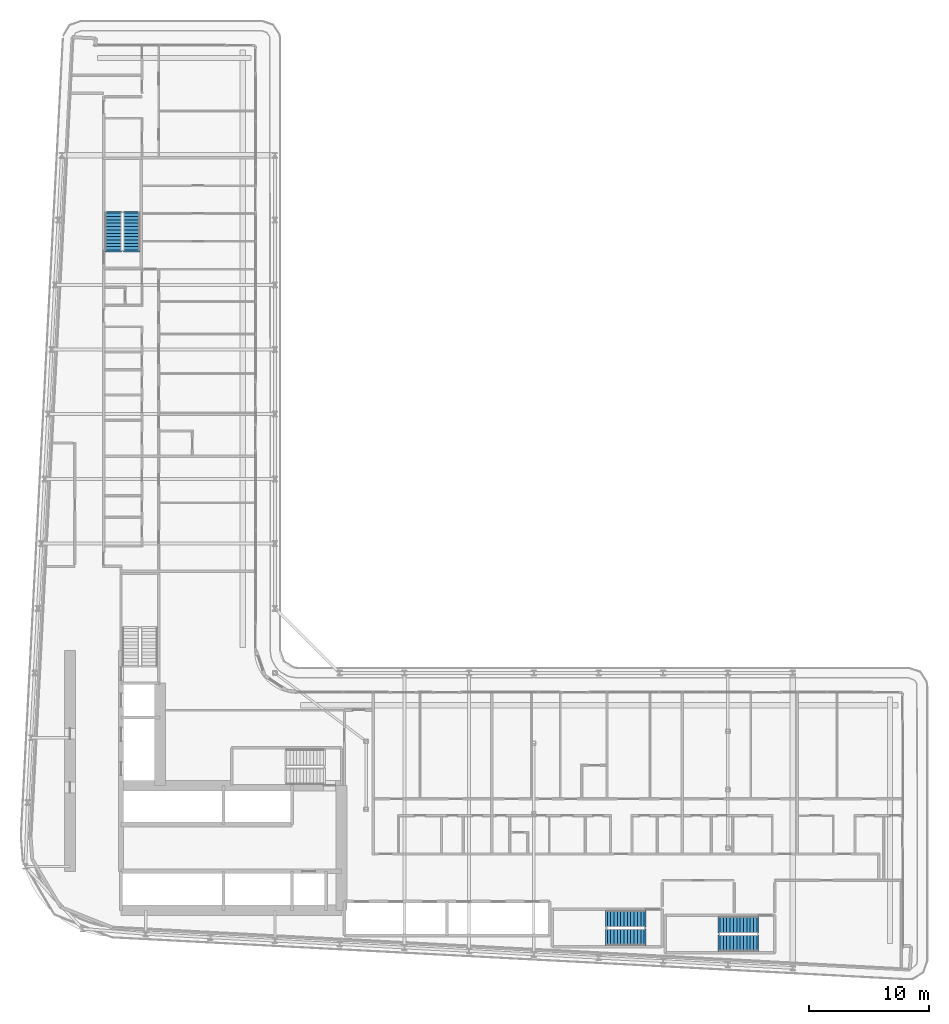
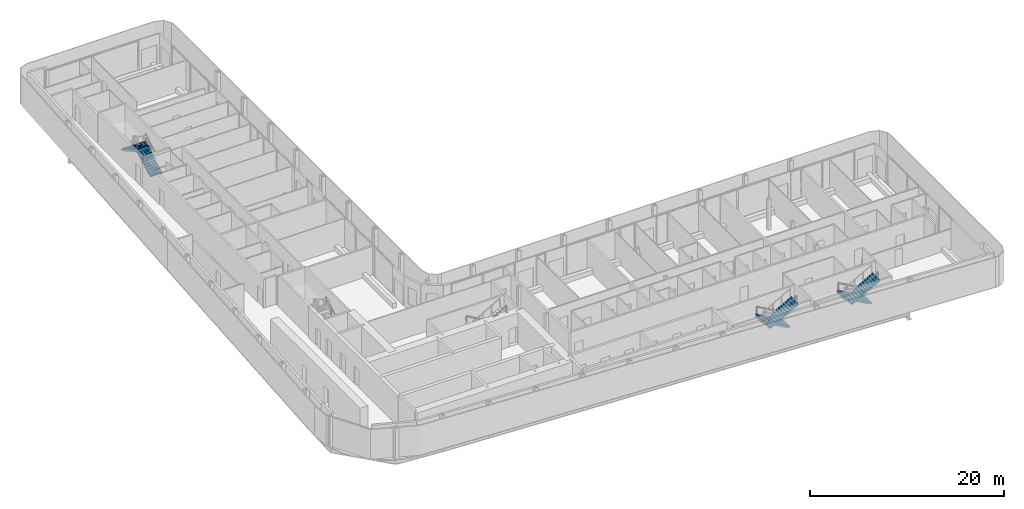
# One storey, part 21 of 28: 6 stair flights, 3 elements without a shape of their own.
"""IFC4 building model written with IfcOpenShell, lengths in metres."""

from ifc_helpers import new_model, si_unit, direction, frame, origin, place, context, subcontext, project, spatial, polyline, outline, extrude, material, layer, layer_set, type_object, element, aggregate, save


model = new_model("IFC4")

# Units and contexts
model_context = context("Model", 3, precision=1e-05, world=origin(), true_north=direction((0.0, 1.0)))
body_context = subcontext(model_context, "Body", "Model", "MODEL_VIEW")
ifc_project = project(units=[si_unit("LENGTHUNIT", "METRE"), si_unit("AREAUNIT", "SQUARE_METRE"), si_unit("VOLUMEUNIT", "CUBIC_METRE"), si_unit("PLANEANGLEUNIT", "RADIAN"), si_unit("MASSUNIT", "GRAM", prefix="KILO")], contexts=[model_context])

# Site, building, storey
site_placement = place(None, origin())
site = spatial("IfcSite", under=ifc_project, at=site_placement, CompositionType="ELEMENT")
building_placement = place(site_placement, origin())
building = spatial("IfcBuilding", under=site, at=building_placement, Name="Kheshtan School and Residences Tower", CompositionType="ELEMENT")
storey_placement = place(building_placement, frame((0.0, 0.0, 125.300048828125)))
storey = spatial("IfcBuildingStorey", under=building, at=storey_placement, Name="L29", CompositionType="ELEMENT", Elevation=125.300048828125)

# Stair, stair flights
ifc_material = material(Name="Concrete C40/50", Category="concrete")
stair_type = type_object("IfcStairType", Name="Exit stair, half-turn", PredefinedType="HALF_TURN_STAIR", material=ifc_material)
stair_1_placement = place(storey_placement, origin())
stair_1 = element("IfcStair", 1, at=stair_1_placement, inside=storey, type_object=stair_type, Name="L29 Protected Exit Stair ST3", PredefinedType="HALF_TURN_STAIR")
ifc_layer = layer(ifc_material, 0.14990234375)
ifc_layer_set = layer_set([ifc_layer], Name="Stair flight 1400 Concrete C40/50")
stair_flight_type = type_object("IfcStairFlightType", Name="Stair flight 1400 Concrete C40/50", PredefinedType="STRAIGHT", material=ifc_layer_set)
stair_flight_1_placement = place(storey_placement, frame((35.64990234375, 80.89990234375, 0.0), z_axis=(0.0, 0.0, 1.0), x_axis=(0.0, 1.0, 0.0)))
stair_flight_1 = element("IfcStairFlight", 2, at=stair_flight_1_placement, type_object=stair_flight_type, Name="ST3 flight 1", NumberOfRisers=12, NumberOfTreads=11, PredefinedType="STRAIGHT", RiserHeight=0.1625, TreadLength=0.28, context=body_context, shape_type="SweptSolid", body=[
    extrude(outline(polyline([(-0.14990234375, -0.10009765625), (-0.14990234375, 0.0), (0.0, 0.0), (0.0, 0.16259765625), (0.280029296875, 0.16259765625), (0.280029296875, 0.324951171875), (0.56005859375, 0.324951171875), (0.56005859375, 0.487548828125), (0.840087890625, 0.487548828125), (0.840087890625, 0.64990234375), (1.1201171875, 0.64990234375), (1.1201171875, 0.8125), (1.39990234375, 0.8125), (1.39990234375, 0.97509765625), (1.679931640625, 0.97509765625), (1.679931640625, 1.137451171875), (1.9599609375, 1.137451171875), (1.9599609375, 1.300048828125), (2.239990234375, 1.300048828125), (2.239990234375, 1.46240234375), (2.52001953125, 1.46240234375), (2.52001953125, 1.625), (2.800048828125, 1.625), (2.800048828125, 1.78759765625), (3.080078125, 1.78759765625), (3.080078125, 1.949951171875), (3.080078125, 1.969970703125), (3.22998046875, 1.969970703125), (3.22998046875, 1.6142578125), (0.298583984375, 0.0), (-0.14990234375, -0.10009765625)])), frame((0.0, 0.699951171875, 0.0), z_axis=(0.0, -1.0, 0.0), x_axis=(1.0, 0.0, 0.0)), (0.0, 0.0, 1.0), 1.39990234375),
])
stair_flight_2_placement = place(storey_placement, frame((34.10009765625, 83.97998046875, 1.949951171875), z_axis=(0.0, 0.0, 1.0), x_axis=(0.0, -1.0, 0.0)))
stair_flight_2 = element("IfcStairFlight", 3, at=stair_flight_2_placement, type_object=stair_flight_type, Name="ST3 flight 2", NumberOfRisers=12, NumberOfTreads=11, PredefinedType="STRAIGHT", RiserHeight=0.1625, TreadLength=0.28, context=body_context, shape_type="SweptSolid", body=[
    extrude(outline(polyline([(-0.14990234375, -0.10009765625), (-0.14990234375, 0.0), (0.0, 0.0), (0.0, 0.16259765625), (0.280029296875, 0.16259765625), (0.280029296875, 0.324951171875), (0.56005859375, 0.324951171875), (0.56005859375, 0.487548828125), (0.840087890625, 0.487548828125), (0.840087890625, 0.64990234375), (1.1201171875, 0.64990234375), (1.1201171875, 0.8125), (1.39990234375, 0.8125), (1.39990234375, 0.97509765625), (1.679931640625, 0.97509765625), (1.679931640625, 1.137451171875), (1.9599609375, 1.137451171875), (1.9599609375, 1.300048828125), (2.239990234375, 1.300048828125), (2.239990234375, 1.46240234375), (2.52001953125, 1.46240234375), (2.52001953125, 1.625), (2.800048828125, 1.625), (2.800048828125, 1.78759765625), (3.080078125, 1.78759765625), (3.080078125, 1.949951171875), (3.080078125, 1.969970703125), (3.22998046875, 1.969970703125), (3.22998046875, 1.6142578125), (0.298583984375, 0.0), (-0.14990234375, -0.10009765625)])), frame((0.0, 0.699951171875, 0.0), z_axis=(0.0, -1.0, 0.0), x_axis=(1.0, 0.0, 0.0)), (0.0, 0.0, 1.0), 1.39990234375),
])
aggregate(stair_1, [stair_flight_1, stair_flight_2])

stair_2_placement = place(storey_placement, origin())
stair_2 = element("IfcStair", 4, at=stair_2_placement, inside=storey, type_object=stair_type, Name="L29 Protected Exit Stair ST4", PredefinedType="HALF_TURN_STAIR")
stair_flight_3_placement = place(storey_placement, frame((87.820068359375, 24.60009765625, 0.0), z_axis=(0.0, 0.0, 1.0), x_axis=(-1.0, 0.0, 0.0)))
stair_flight_3 = element("IfcStairFlight", 5, at=stair_flight_3_placement, type_object=stair_flight_type, Name="ST4 flight 1", NumberOfRisers=12, NumberOfTreads=11, PredefinedType="STRAIGHT", RiserHeight=0.1625, TreadLength=0.28, context=body_context, shape_type="SweptSolid", body=[
    extrude(outline(polyline([(-0.14990234375, -0.10009765625), (-0.14990234375, 0.0), (0.0, 0.0), (0.0, 0.16259765625), (0.280029296875, 0.16259765625), (0.280029296875, 0.324951171875), (0.56005859375, 0.324951171875), (0.56005859375, 0.487548828125), (0.840087890625, 0.487548828125), (0.840087890625, 0.64990234375), (1.1201171875, 0.64990234375), (1.1201171875, 0.8125), (1.39990234375, 0.8125), (1.39990234375, 0.97509765625), (1.679931640625, 0.97509765625), (1.679931640625, 1.137451171875), (1.9599609375, 1.137451171875), (1.9599609375, 1.300048828125), (2.239990234375, 1.300048828125), (2.239990234375, 1.46240234375), (2.52001953125, 1.46240234375), (2.52001953125, 1.625), (2.800048828125, 1.625), (2.800048828125, 1.78759765625), (3.080078125, 1.78759765625), (3.080078125, 1.949951171875), (3.080078125, 1.969970703125), (3.22998046875, 1.969970703125), (3.22998046875, 1.6142578125), (0.298583984375, 0.0), (-0.14990234375, -0.10009765625)])), frame((0.0, 0.699951171875, 0.0), z_axis=(0.0, -1.0, 0.0), x_axis=(1.0, 0.0, 0.0)), (0.0, 0.0, 1.0), 1.39990234375),
])
stair_flight_4_placement = place(storey_placement, frame((84.739990234375, 23.050048828125, 1.949951171875), z_axis=(0.0, 0.0, 1.0), x_axis=(1.0, 0.0, 0.0)))
stair_flight_4 = element("IfcStairFlight", 6, at=stair_flight_4_placement, type_object=stair_flight_type, Name="ST4 flight 2", NumberOfRisers=12, NumberOfTreads=11, PredefinedType="STRAIGHT", RiserHeight=0.1625, TreadLength=0.28, context=body_context, shape_type="SweptSolid", body=[
    extrude(outline(polyline([(-0.14990234375, -0.10009765625), (-0.14990234375, 0.0), (0.0, 0.0), (0.0, 0.16259765625), (0.280029296875, 0.16259765625), (0.280029296875, 0.324951171875), (0.56005859375, 0.324951171875), (0.56005859375, 0.487548828125), (0.840087890625, 0.487548828125), (0.840087890625, 0.64990234375), (1.1201171875, 0.64990234375), (1.1201171875, 0.8125), (1.39990234375, 0.8125), (1.39990234375, 0.97509765625), (1.679931640625, 0.97509765625), (1.679931640625, 1.137451171875), (1.9599609375, 1.137451171875), (1.9599609375, 1.300048828125), (2.239990234375, 1.300048828125), (2.239990234375, 1.46240234375), (2.52001953125, 1.46240234375), (2.52001953125, 1.625), (2.800048828125, 1.625), (2.800048828125, 1.78759765625), (3.080078125, 1.78759765625), (3.080078125, 1.949951171875), (3.080078125, 1.969970703125), (3.22998046875, 1.969970703125), (3.22998046875, 1.6142578125), (0.298583984375, 0.0), (-0.14990234375, -0.10009765625)])), frame((0.0, 0.699951171875, 0.0), z_axis=(0.0, -1.0, 0.0), x_axis=(1.0, 0.0, 0.0)), (0.0, 0.0, 1.0), 1.39990234375),
])
aggregate(stair_2, [stair_flight_3, stair_flight_4])

stair_3_placement = place(storey_placement, origin())
stair_3 = element("IfcStair", 7, at=stair_3_placement, inside=storey, type_object=stair_type, Name="L29 Protected Exit Stair ST5", PredefinedType="HALF_TURN_STAIR")
stair_flight_5_placement = place(storey_placement, frame((78.409912109375, 25.10009765625, 0.0), z_axis=(0.0, 0.0, 1.0), x_axis=(-1.0, 0.0, 0.0)))
stair_flight_5 = element("IfcStairFlight", 8, at=stair_flight_5_placement, type_object=stair_flight_type, Name="ST5 flight 1", NumberOfRisers=12, NumberOfTreads=11, PredefinedType="STRAIGHT", RiserHeight=0.1625, TreadLength=0.28, context=body_context, shape_type="SweptSolid", body=[
    extrude(outline(polyline([(-0.14990234375, -0.10009765625), (-0.14990234375, 0.0), (0.0, 0.0), (0.0, 0.16259765625), (0.280029296875, 0.16259765625), (0.280029296875, 0.324951171875), (0.56005859375, 0.324951171875), (0.56005859375, 0.487548828125), (0.840087890625, 0.487548828125), (0.840087890625, 0.64990234375), (1.1201171875, 0.64990234375), (1.1201171875, 0.8125), (1.39990234375, 0.8125), (1.39990234375, 0.97509765625), (1.679931640625, 0.97509765625), (1.679931640625, 1.137451171875), (1.9599609375, 1.137451171875), (1.9599609375, 1.300048828125), (2.239990234375, 1.300048828125), (2.239990234375, 1.46240234375), (2.52001953125, 1.46240234375), (2.52001953125, 1.625), (2.800048828125, 1.625), (2.800048828125, 1.78759765625), (3.080078125, 1.78759765625), (3.080078125, 1.949951171875), (3.080078125, 1.969970703125), (3.22998046875, 1.969970703125), (3.22998046875, 1.6142578125), (0.298583984375, 0.0), (-0.14990234375, -0.10009765625)])), frame((0.0, 0.699951171875, 0.0), z_axis=(0.0, -1.0, 0.0), x_axis=(1.0, 0.0, 0.0)), (0.0, 0.0, 1.0), 1.39990234375),
])
stair_flight_6_placement = place(storey_placement, frame((75.330078125, 23.550048828125, 1.949951171875), z_axis=(0.0, 0.0, 1.0), x_axis=(1.0, 0.0, 0.0)))
stair_flight_6 = element("IfcStairFlight", 9, at=stair_flight_6_placement, type_object=stair_flight_type, Name="ST5 flight 2", NumberOfRisers=12, NumberOfTreads=11, PredefinedType="STRAIGHT", RiserHeight=0.1625, TreadLength=0.28, context=body_context, shape_type="SweptSolid", body=[
    extrude(outline(polyline([(-0.14990234375, -0.10009765625), (-0.14990234375, 0.0), (0.0, 0.0), (0.0, 0.16259765625), (0.280029296875, 0.16259765625), (0.280029296875, 0.324951171875), (0.56005859375, 0.324951171875), (0.56005859375, 0.487548828125), (0.840087890625, 0.487548828125), (0.840087890625, 0.64990234375), (1.1201171875, 0.64990234375), (1.1201171875, 0.8125), (1.39990234375, 0.8125), (1.39990234375, 0.97509765625), (1.679931640625, 0.97509765625), (1.679931640625, 1.137451171875), (1.9599609375, 1.137451171875), (1.9599609375, 1.300048828125), (2.239990234375, 1.300048828125), (2.239990234375, 1.46240234375), (2.52001953125, 1.46240234375), (2.52001953125, 1.625), (2.800048828125, 1.625), (2.800048828125, 1.78759765625), (3.080078125, 1.78759765625), (3.080078125, 1.949951171875), (3.080078125, 1.969970703125), (3.22998046875, 1.969970703125), (3.22998046875, 1.6142578125), (0.298583984375, 0.0), (-0.14990234375, -0.10009765625)])), frame((0.0, 0.699951171875, 0.0), z_axis=(0.0, -1.0, 0.0), x_axis=(1.0, 0.0, 0.0)), (0.0, 0.0, 1.0), 1.39990234375),
])
aggregate(stair_3, [stair_flight_5, stair_flight_6])

save(model, "model.ifc")
